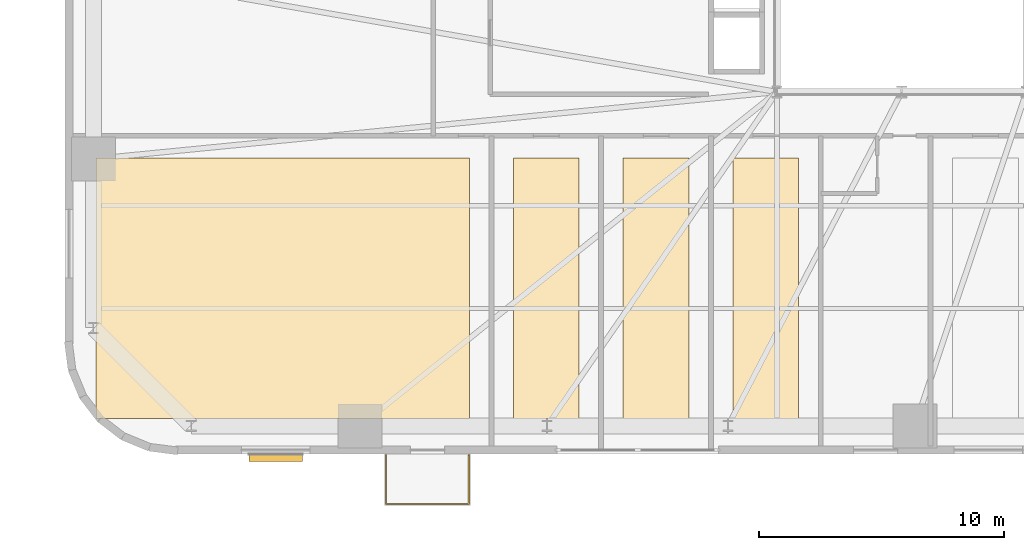
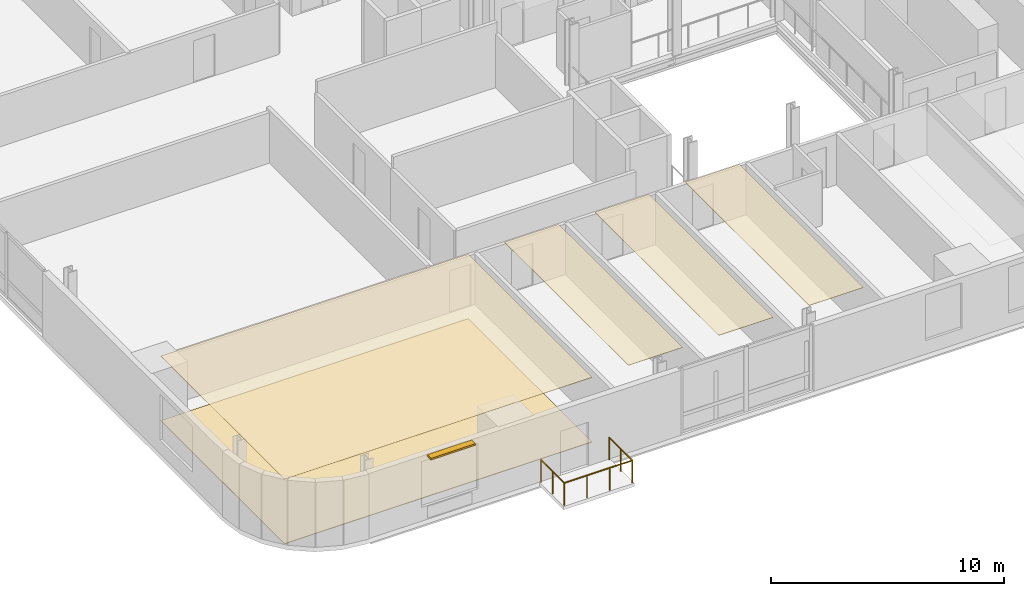
# One storey, part 10 of 13: 5 coverings, 1 railing, 1 shading device.
"""IFC4 building model written with IfcOpenShell, lengths in metres."""

from ifc_helpers import new_model, si_unit, direction, frame, origin, origin_2d, place, context, subcontext, project, spatial, polyline, rectangle, outline, extrude, source, transform, mapped, material, layer, layer_set, type_object, element, save


model = new_model("IFC4")

# Units and contexts
model_context = context("Model", 3, precision=1e-05, world=origin(), true_north=direction((0.0, 1.0)))
body_context = subcontext(model_context, "Body", "Model", "MODEL_VIEW")
ifc_project = project(units=[si_unit("LENGTHUNIT", "METRE"), si_unit("AREAUNIT", "SQUARE_METRE"), si_unit("VOLUMEUNIT", "CUBIC_METRE"), si_unit("PLANEANGLEUNIT", "RADIAN"), si_unit("MASSUNIT", "GRAM", prefix="KILO")], contexts=[model_context])

# Site, building, storey
site_placement = place(None, origin())
site = spatial("IfcSite", under=ifc_project, at=site_placement, CompositionType="ELEMENT")
building_placement = place(site_placement, origin())
building = spatial("IfcBuilding", under=site, at=building_placement, Name="Vardaveli Station Tower", CompositionType="ELEMENT")
storey_placement = place(building_placement, frame((0.0, 0.0, 86.0)))
storey = spatial("IfcBuildingStorey", under=building, at=storey_placement, Name="L22", CompositionType="ELEMENT", Elevation=86.0)

# Coverings
ifc_material_1 = material(Name="Perforated acoustic mineral ceiling")
ifc_layer_1 = layer(ifc_material_1, 0.02001953125, Name="Perforated acoustic mineral ceiling")
ifc_layer_set_1 = layer_set([ifc_layer_1], Name="Perforated acoustic mineral ceiling")
covering_type_1 = type_object("IfcCoveringType", Name="COV-CEIL-AC20", PredefinedType="CEILING", material=ifc_layer_set_1)
covering_1_placement = place(storey_placement, frame((0.0, 0.0, 3.39501953125)))
element("IfcCovering", 1, at=covering_1_placement, inside=storey, type_object=covering_type_1, Name="CEIL-L22-1", PredefinedType="CEILING", context=body_context, shape_type="SweptSolid", body=[
    extrude(outline(polyline([(3.35009765625, 3.25), (18.6201171875, 3.25), (18.6201171875, 13.909912109375), (3.35009765625, 13.909912109375), (3.35009765625, 3.25)])), origin(), (0.0, 0.0, 1.0), 0.02001953125),
])
covering_2_placement = place(storey_placement, frame((0.0, 0.0, 3.39501953125)))
element("IfcCovering", 2, at=covering_2_placement, inside=storey, type_object=covering_type_1, Name="CEIL-L22-2", PredefinedType="CEILING", context=body_context, shape_type="SweptSolid", body=[
    extrude(outline(polyline([(20.419921875, 3.25), (23.10888671875, 3.25), (23.10888671875, 13.909912109375), (20.419921875, 13.909912109375), (20.419921875, 3.25)])), origin(), (0.0, 0.0, 1.0), 0.02001953125),
])
covering_3_placement = place(storey_placement, frame((0.0, 0.0, 3.39501953125)))
element("IfcCovering", 3, at=covering_3_placement, inside=storey, type_object=covering_type_1, Name="CEIL-L22-3", PredefinedType="CEILING", context=body_context, shape_type="SweptSolid", body=[
    extrude(outline(polyline([(24.908935546875, 3.25), (27.59765625, 3.25), (27.59765625, 13.909912109375), (24.908935546875, 13.909912109375), (24.908935546875, 3.25)])), origin(), (0.0, 0.0, 1.0), 0.02001953125),
])
covering_4_placement = place(storey_placement, frame((0.0, 0.0, 3.39501953125)))
element("IfcCovering", 4, at=covering_4_placement, inside=storey, type_object=covering_type_1, Name="CEIL-L22-4", PredefinedType="CEILING", context=body_context, shape_type="SweptSolid", body=[
    extrude(outline(polyline([(29.397705078125, 3.25), (32.086669921875, 3.25), (32.086669921875, 13.909912109375), (29.397705078125, 13.909912109375), (29.397705078125, 3.25)])), origin(), (0.0, 0.0, 1.0), 0.02001953125),
])
ifc_material_2 = material(Name="Honed Caucasian basalt and travertine flooring", Category="masonry")
ifc_layer_2 = layer(ifc_material_2, 0.030029296875, Name="Honed Caucasian basalt and travertine flooring")
ifc_layer_set_2 = layer_set([ifc_layer_2], Name="Honed Caucasian basalt and travertine flooring")
covering_type_2 = type_object("IfcCoveringType", Name="COV-FLOOR-ST30", PredefinedType="FLOORING", material=ifc_layer_set_2)
covering_5_placement = place(storey_placement, origin())
element("IfcCovering", 5, at=covering_5_placement, inside=storey, type_object=covering_type_2, Name="FLR-L22-1", PredefinedType="FLOORING", context=body_context, shape_type="SweptSolid", body=[
    extrude(outline(polyline([(3.35009765625, 3.25), (18.6201171875, 3.25), (18.6201171875, 13.909912109375), (3.35009765625, 13.909912109375), (3.35009765625, 3.25)])), origin(), (0.0, 0.0, 1.0), 0.030029296875),
])

# Railing
ifc_material_3 = material(Name="Laminated glass and stainless steel balustrade", Category="steel")
railing_type = type_object("IfcRailingType", Name="RL-BAL-1200", PredefinedType="BALUSTRADE", material=ifc_material_3)
shared_shape_1 = source(origin(), body_context, "Body", "SweptSolid", [
    extrude(rectangle(XDim=0.048095703125, YDim=0.048095703125, at=origin_2d()), frame((0.0, 0.0, 1.17578125), z_axis=(0.0, -1.0, 0.0), x_axis=(1.0, 0.0, 0.0)), (0.0, 0.0, 1.0), 2.0),
    extrude(rectangle(XDim=0.048095703125, YDim=0.048095703125, at=origin_2d()), frame((0.0, -2.0, 1.17578125), z_axis=(1.0, 0.0, 0.0), x_axis=(0.0, 1.0, 0.0)), (0.0, 0.0, 1.0), 3.3798828125),
    extrude(rectangle(XDim=0.048095703125, YDim=0.048095703125, at=origin_2d()), frame((3.3798828125, -2.0, 1.17578125), z_axis=(0.0, 1.0, 0.0), x_axis=(-1.0, 0.0, 0.0)), (0.0, 0.0, 1.0), 2.0),
    extrude(rectangle(XDim=0.0419921875, YDim=0.0419921875, at=origin_2d()), origin(), (0.0, 0.0, 1.0), 1.15185546875),
    extrude(rectangle(XDim=0.0419921875, YDim=0.0419921875, at=origin_2d()), frame((0.0, -1.0, 0.0)), (0.0, 0.0, 1.0), 1.15185546875),
    extrude(rectangle(XDim=0.0419921875, YDim=0.0419921875, at=origin_2d()), frame((0.0, -2.0, 0.0)), (0.0, 0.0, 1.0), 1.15185546875),
    extrude(rectangle(XDim=0.0419921875, YDim=0.0419921875, at=origin_2d()), frame((1.126708984375, -2.0, 0.0)), (0.0, 0.0, 1.0), 1.15185546875),
    extrude(rectangle(XDim=0.0419921875, YDim=0.0419921875, at=origin_2d()), frame((2.253173828125, -2.0, 0.0)), (0.0, 0.0, 1.0), 1.15185546875),
    extrude(rectangle(XDim=0.0419921875, YDim=0.0419921875, at=origin_2d()), frame((3.3798828125, -2.0, 0.0)), (0.0, 0.0, 1.0), 1.15185546875),
    extrude(rectangle(XDim=0.0419921875, YDim=0.0419921875, at=origin_2d()), frame((3.3798828125, -1.0, 0.0)), (0.0, 0.0, 1.0), 1.15185546875),
    extrude(rectangle(XDim=0.0419921875, YDim=0.0419921875, at=origin_2d()), frame((3.3798828125, 0.0, 0.0)), (0.0, 0.0, 1.0), 1.15185546875),
])
railing_placement = place(storey_placement, frame((15.220458984375, 1.760009765625, 0.0)))
element("IfcRailing", 6, at=railing_placement, inside=storey, type_object=railing_type, Name="RL-LOG-L22-01", PredefinedType="BALUSTRADE", context=body_context, shape_type="MappedRepresentation", body=[
    mapped(shared_shape_1, transform((0.0, 0.0, 0.0), scale=1.0)),
])

# Shading device
ifc_material_4 = material(Name="Anodised champagne aluminium sunshade", Category="aluminium")
ifc_layer_3 = layer(ifc_material_4, 0.090087890625, Name="Anodised champagne aluminium sunshade")
ifc_layer_set_3 = layer_set([ifc_layer_3], Name="Anodised champagne aluminium sunshade")
shading_device_type = type_object("IfcShadingDeviceType", Name="SHD-SUNSHADE", PredefinedType="USERDEFINED", material=ifc_layer_set_3)
shared_shape_2 = source(origin(), body_context, "Body", "SweptSolid", [
    extrude(rectangle(XDim=2.199951171875, YDim=0.320068359375, at=origin_2d()), origin(), (0.0, 0.0, 1.0), 0.090087890625),
])
shading_device_placement = place(storey_placement, frame((10.705078125, 1.655029296875, 3.2900390625), z_axis=(0.0, 0.0, 1.0), x_axis=(1.0, 0.0, 0.0)))
element("IfcShadingDevice", 7, at=shading_device_placement, inside=storey, type_object=shading_device_type, Name="SHD-SS-L22-S", ObjectType="SUNSHADE", PredefinedType="USERDEFINED", context=body_context, shape_type="MappedRepresentation", body=[
    mapped(shared_shape_2, transform((0.0, 0.0, 0.0), scale=1.0)),
])

save(model, "model.ifc")
